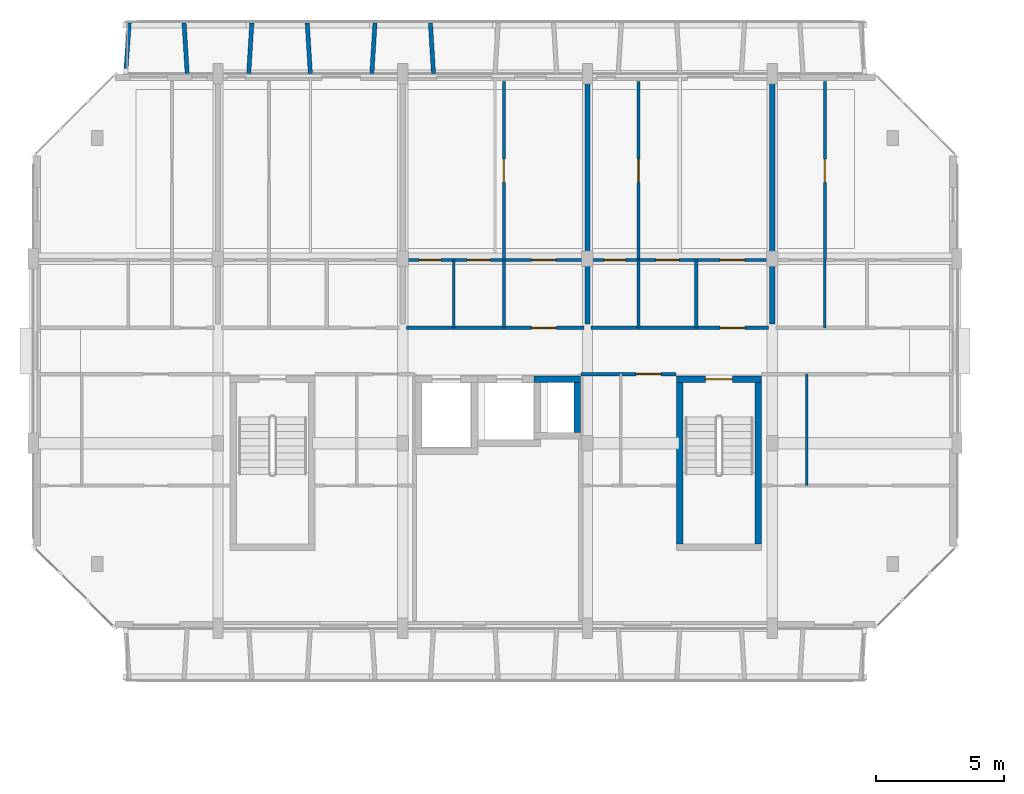
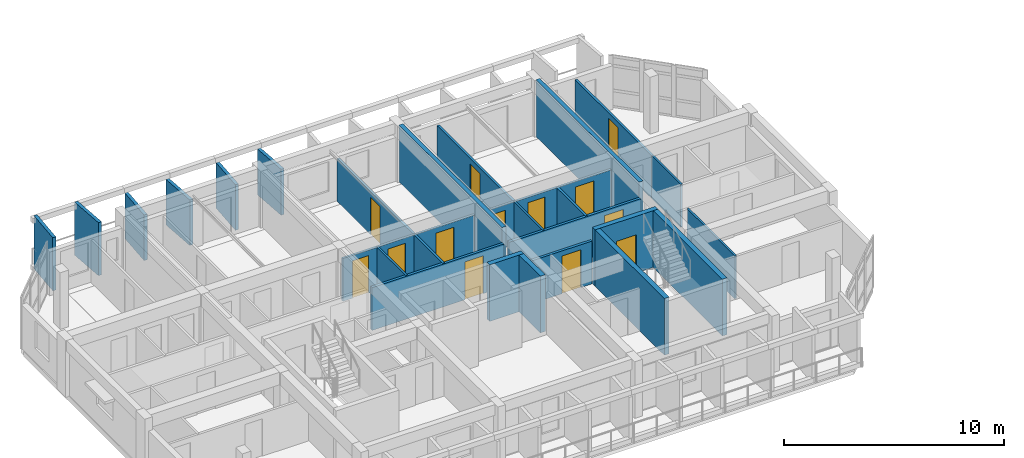
# One storey, part 22 of 46: 27 walls, 13 doors, 13 openings.
"""IFC4 building model written with IfcOpenShell, lengths in metres."""

from ifc_helpers import new_model, si_unit, direction, frame, frame_2d, origin, place, context, subcontext, project, spatial, rectangle, extrude, material, layer, layer_set, type_object, element, fill, save


model = new_model("IFC4")

# Units and contexts
model_context = context("Model", 3, precision=1e-05, world=origin(), true_north=direction((0.0, 1.0)))
body_context = subcontext(model_context, "Body", "Model", "MODEL_VIEW")
ifc_project = project(units=[si_unit("LENGTHUNIT", "METRE"), si_unit("AREAUNIT", "SQUARE_METRE"), si_unit("VOLUMEUNIT", "CUBIC_METRE"), si_unit("PLANEANGLEUNIT", "RADIAN"), si_unit("MASSUNIT", "GRAM", prefix="KILO")], contexts=[model_context])

# Site, building, storey
site_placement = place(None, origin())
site = spatial("IfcSite", under=ifc_project, at=site_placement, CompositionType="ELEMENT")
building_placement = place(site_placement, origin())
building = spatial("IfcBuilding", under=site, at=building_placement, Name="Ochrevale Crest", CompositionType="ELEMENT")
storey_placement = place(building_placement, frame((0.0, 0.0, 24.449951171875)))
storey = spatial("IfcBuildingStorey", under=building, at=storey_placement, Name="L07", CompositionType="ELEMENT", Elevation=24.449951171875)

# Wall, opening, door
ifc_material_1 = material(Name="Gypsum plasterboard", Category="gypsum")
ifc_layer_1 = layer(ifc_material_1, 0.139892578125)
ifc_layer_set_1 = layer_set([ifc_layer_1], Name="Gypsum plasterboard")
wall_type_1 = type_object("IfcWallType", Name="WL-COR-140", PredefinedType="PARTITIONING", material=ifc_layer_set_1)
wall_1_placement = place(storey_placement, frame((14.5400390625, 83.699951171875, 0.0), z_axis=(0.0, 0.0, 1.0), x_axis=(1.0, 0.0, 0.0)))
wall_1 = element("IfcWall", 1, at=wall_1_placement, inside=storey, type_object=wall_type_1, Name="Apartment B-L07-U3 corridor wall", PredefinedType="PARTITIONING", context=body_context, shape_type="SweptSolid", body=[
    extrude(rectangle(XDim=6.919921875, YDim=0.139892578125, at=frame_2d((3.4599609375, 0.0))), origin(), (0.0, 0.0, 1.0), 2.380126953125),
])
opening_1_placement = place(wall_1_placement, frame((5.85009765625, 0.0, 0.0), z_axis=(0.0, 0.0, 1.0), x_axis=(-1.0, 0.0, 0.0)))
opening_1 = element("IfcOpeningElement", 2, at=opening_1_placement, cuts=wall_1, Name="Opening FD01", PredefinedType="OPENING", context=body_context, shape_type="SweptSolid", body=[
    extrude(rectangle(XDim=0.97998046875, YDim=2.10009765625, at=frame_2d((0.489990234375, 1.050048828125))), frame((0.0, 0.080078125, 0.0), z_axis=(0.0, -1.0, 0.0), x_axis=(1.0, 0.0, 0.0)), (0.0, 0.0, 1.0), 0.159912109375),
])
ifc_material_2 = material(Name="Solid-core FSC hardwood", Category="wood")
door_type_1 = type_object("IfcDoorType", Name="DR-APT-950", OperationType="NOTDEFINED", PredefinedType="DOOR", material=ifc_material_2)
door_1_placement = place(opening_1_placement, origin())
door_1 = element("IfcDoor", 3, at=door_1_placement, inside=storey, type_object=door_type_1, Name="Apartment B-L07-U3 entrance door", OperationType="SINGLE_SWING_RIGHT", OverallHeight=2.10009765625, OverallWidth=0.97998046875, PredefinedType="DOOR", context=body_context, shape_type="SweptSolid", body=[
    extrude(rectangle(XDim=0.97998046875, YDim=2.10009765625, at=frame_2d((0.489990234375, 1.050048828125))), frame((0.0, 0.02490234375, 0.0), z_axis=(0.0, -1.0, 0.0), x_axis=(1.0, 0.0, 0.0)), (0.0, 0.0, 1.0), 0.050048828125),
])
fill(opening_1, door_1)

wall_2_placement = place(storey_placement, frame((21.739990234375, 83.699951171875, 0.0), z_axis=(0.0, 0.0, 1.0), x_axis=(1.0, 0.0, 0.0)))
wall_2 = element("IfcWall", 4, at=wall_2_placement, inside=storey, type_object=wall_type_1, Name="Apartment B-L07-U4 corridor wall", PredefinedType="PARTITIONING", context=body_context, shape_type="SweptSolid", body=[
    extrude(rectangle(XDim=6.919921875, YDim=0.139892578125, at=frame_2d((3.4599609375, 0.0))), origin(), (0.0, 0.0, 1.0), 2.380126953125),
])
opening_2_placement = place(wall_2_placement, frame((5.02001953125, 0.0, 0.0)))
opening_2 = element("IfcOpeningElement", 5, at=opening_2_placement, cuts=wall_2, Name="Opening FD01", PredefinedType="OPENING", context=body_context, shape_type="SweptSolid", body=[
    extrude(rectangle(XDim=0.97998046875, YDim=2.10009765625, at=frame_2d((0.489990234375, 1.050048828125))), frame((0.0, 0.080078125, 0.0), z_axis=(0.0, -1.0, 0.0), x_axis=(1.0, 0.0, 0.0)), (0.0, 0.0, 1.0), 0.159912109375),
])
door_2_placement = place(opening_2_placement, origin())
door_2 = element("IfcDoor", 6, at=door_2_placement, inside=storey, type_object=door_type_1, Name="Apartment B-L07-U4 entrance door", OperationType="SINGLE_SWING_LEFT", OverallHeight=2.10009765625, OverallWidth=0.97998046875, PredefinedType="DOOR", context=body_context, shape_type="SweptSolid", body=[
    extrude(rectangle(XDim=0.97998046875, YDim=2.10009765625, at=frame_2d((0.489990234375, 1.050048828125))), frame((0.0, 0.02490234375, 0.0), z_axis=(0.0, -1.0, 0.0), x_axis=(1.0, 0.0, 0.0)), (0.0, 0.0, 1.0), 0.050048828125),
])
fill(opening_2, door_2)

wall_3_placement = place(storey_placement, frame((21.340087890625, 81.89990234375, 0.0), z_axis=(0.0, 0.0, 1.0), x_axis=(1.0, 0.0, 0.0)))
wall_3 = element("IfcWall", 7, at=wall_3_placement, inside=storey, type_object=wall_type_1, Name="Suite B-L07-ME corridor wall", PredefinedType="PARTITIONING", context=body_context, shape_type="SweptSolid", body=[
    extrude(rectangle(XDim=3.719970703125, YDim=0.139892578125, at=frame_2d((1.85986328125, 0.0))), origin(), (0.0, 0.0, 1.0), 2.380126953125),
])
opening_3_placement = place(wall_3_placement, frame((2.151123046875, 0.0, 0.0)))
opening_3 = element("IfcOpeningElement", 8, at=opening_3_placement, cuts=wall_3, Name="Opening FD01", PredefinedType="OPENING", context=body_context, shape_type="SweptSolid", body=[
    extrude(rectangle(XDim=0.97998046875, YDim=2.10009765625, at=frame_2d((0.489990234375, 1.050048828125))), frame((0.0, 0.080078125, 0.0), z_axis=(0.0, -1.0, 0.0), x_axis=(1.0, 0.0, 0.0)), (0.0, 0.0, 1.0), 0.159912109375),
])
door_3_placement = place(opening_3_placement, origin())
door_3 = element("IfcDoor", 9, at=door_3_placement, inside=storey, type_object=door_type_1, Name="Suite B-L07-ME entrance door", OperationType="SINGLE_SWING_LEFT", OverallHeight=2.10009765625, OverallWidth=0.97998046875, PredefinedType="DOOR", context=body_context, shape_type="SweptSolid", body=[
    extrude(rectangle(XDim=0.97998046875, YDim=2.10009765625, at=frame_2d((0.489990234375, 1.050048828125))), frame((0.0, 0.02490234375, 0.0), z_axis=(0.0, -1.0, 0.0), x_axis=(1.0, 0.0, 0.0)), (0.0, 0.0, 1.0), 0.050048828125),
])
fill(opening_3, door_3)

ifc_material_3 = material(Name="Precast concrete C50/60", Category="concrete")
ifc_layer_2 = layer(ifc_material_3, 0.2548828125)
ifc_layer_set_2 = layer_set([ifc_layer_2], Name="Precast concrete C50/60")
wall_type_2 = type_object("IfcWallType", Name="WL-CORE-255", PredefinedType="SHEAR", material=ifc_layer_set_2)
wall_4_placement = place(storey_placement, frame((25.072509765625, 81.699951171875, 0.0), z_axis=(0.0, 0.0, 1.0), x_axis=(1.0, 0.0, 0.0)))
wall_4 = element("IfcWall", 10, at=wall_4_placement, inside=storey, type_object=wall_type_2, Name="Block B L07 Stair 2 precast core shear wall N", PredefinedType="SHEAR", context=body_context, shape_type="SweptSolid", body=[
    extrude(rectangle(XDim=3.304931640625, YDim=0.2548828125, at=frame_2d((1.65234375, 0.0))), origin(), (0.0, 0.0, 1.0), 3.150146484375),
])
opening_4_placement = place(wall_4_placement, frame((1.12744140625, 0.0, 0.0)))
opening_4 = element("IfcOpeningElement", 11, at=opening_4_placement, cuts=wall_4, Name="Opening FD03", PredefinedType="OPENING", context=body_context, shape_type="SweptSolid", body=[
    extrude(rectangle(XDim=1.050048828125, YDim=2.1201171875, at=frame_2d((0.52490234375, 1.06005859375))), frame((0.0, 0.137451171875, 0.0), z_axis=(0.0, -1.0, 0.0), x_axis=(1.0, 0.0, 0.0)), (0.0, 0.0, 1.0), 0.27490234375),
])
door_type_2 = type_object("IfcDoorType", Name="DR-ST-1050", OperationType="NOTDEFINED", PredefinedType="DOOR", material=ifc_material_2)
door_4_placement = place(opening_4_placement, origin())
door_4 = element("IfcDoor", 12, at=door_4_placement, inside=storey, type_object=door_type_2, Name="Block B L07 fire stair 2 door", OperationType="SINGLE_SWING_LEFT", OverallHeight=2.1201171875, OverallWidth=1.050048828125, PredefinedType="DOOR", context=body_context, shape_type="SweptSolid", body=[
    extrude(rectangle(XDim=1.050048828125, YDim=2.1201171875, at=frame_2d((0.52490234375, 1.06005859375))), frame((0.0, 0.02490234375, 0.0), z_axis=(0.0, -1.0, 0.0), x_axis=(1.0, 0.0, 0.0)), (0.0, 0.0, 1.0), 0.050048828125),
])
fill(opening_4, door_4)

# Walls
for number, where, z_axis, x_axis, name in (
    (13, (25.199951171875, 75.277587890625, 0.0), (0.0, 0.0, 1.0), (0.0, 1.0, 0.0), "Block B L07 Stair 2 precast core shear wall W"),
    (14, (28.25, 75.277587890625, 0.0), (0.0, 0.0, 1.0), (0.0, 1.0, 0.0), "Block B L07 Stair 2 precast core shear wall E"),
):
    element("IfcWall", number, at=place(storey_placement, frame(where, z_axis=z_axis, x_axis=x_axis)), inside=storey, type_object=wall_type_2, Name=name, PredefinedType="SHEAR", context=body_context, shape_type="SweptSolid", body=[
        extrude(rectangle(XDim=6.294921875, YDim=0.2548828125, at=frame_2d((3.1474609375, 0.0))), origin(), (0.0, 0.0, 1.0), 3.150146484375),
    ])
wall_5_placement = place(storey_placement, frame((19.5224609375, 81.699951171875, 0.0), z_axis=(0.0, 0.0, 1.0), x_axis=(1.0, 0.0, 0.0)))
element("IfcWall", 15, at=wall_5_placement, inside=storey, type_object=wall_type_2, Name="Block B L07 services riser shaft core wall N", PredefinedType="SHEAR", context=body_context, shape_type="SweptSolid", body=[
    extrude(rectangle(XDim=1.804931640625, YDim=0.2548828125, at=frame_2d((0.90234375, 0.0))), origin(), (0.0, 0.0, 1.0), 3.150146484375),
])
wall_6_placement = place(storey_placement, frame((21.199951171875, 79.62744140625, 0.0), z_axis=(0.0, 0.0, 1.0), x_axis=(0.0, 1.0, 0.0)))
element("IfcWall", 16, at=wall_6_placement, inside=storey, type_object=wall_type_2, Name="Block B L07 services riser shaft core wall E", PredefinedType="SHEAR", context=body_context, shape_type="SweptSolid", body=[
    extrude(rectangle(XDim=1.945068359375, YDim=0.2548828125, at=frame_2d((0.97265625, 0.0))), origin(), (0.0, 0.0, 1.0), 3.150146484375),
])
ifc_material_4 = material(Name="Precast concrete C40/50", Category="concrete")
ifc_layer_3 = layer(ifc_material_4, 0.1650390625)
ifc_layer_set_3 = layer_set([ifc_layer_3], Name="Precast concrete C40/50")
wall_type_3 = type_object("IfcWallType", Name="WL-HC-CHEEK-165", PredefinedType="ELEMENTEDWALL", material=ifc_layer_set_3)
wall_7_placement = place(storey_placement, frame((3.60009765625, 93.6201171875, 0.0), z_axis=(0.0, 0.0, 1.0), x_axis=(0.071194071069, 0.997462482625, 0.0)))
element("IfcWall", 17, at=wall_7_placement, inside=storey, type_object=wall_type_3, Name="Block B L07 N precast honeycomb cheek 1", PredefinedType="ELEMENTEDWALL", context=body_context, shape_type="SweptSolid", body=[
    extrude(rectangle(XDim=1.96484375, YDim=0.1650390625, at=frame_2d((0.982421875, 0.0))), origin(), (0.0, 0.0, 1.0), 2.949951171875),
])
wall_8_placement = place(storey_placement, frame((6.0, 93.6201171875, 0.0), z_axis=(0.0, 0.0, 1.0), x_axis=(-0.061170732449, 0.998127317276, 0.0)))
element("IfcWall", 18, at=wall_8_placement, inside=storey, type_object=wall_type_3, Name="Block B L07 N precast honeycomb cheek 2", PredefinedType="ELEMENTEDWALL", context=body_context, shape_type="SweptSolid", body=[
    extrude(rectangle(XDim=1.963623046875, YDim=0.1650390625, at=frame_2d((0.98193359375, 0.0))), origin(), (0.0, 0.0, 1.0), 2.949951171875),
])
for number, where, z_axis, x_axis, name in (
    (19, (8.39990234375, 93.6201171875, 0.0), (0.0, 0.0, 1.0), (0.061170732449, 0.998127317276, 0.0), "Block B L07 N precast honeycomb cheek 3"),
    (20, (10.800048828125, 93.6201171875, 0.0), (0.0, 0.0, 1.0), (-0.061170732449, 0.998127317276, 0.0), "Block B L07 N precast honeycomb cheek 4"),
    (21, (13.199951171875, 93.6201171875, 0.0), (0.0, 0.0, 1.0), (0.061170732449, 0.998127317276, 0.0), "Block B L07 N precast honeycomb cheek 5"),
):
    element("IfcWall", number, at=place(storey_placement, frame(where, z_axis=z_axis, x_axis=x_axis)), inside=storey, type_object=wall_type_3, Name=name, PredefinedType="ELEMENTEDWALL", context=body_context, shape_type="SweptSolid", body=[
        extrude(rectangle(XDim=1.963623046875, YDim=0.1650390625, at=frame_2d((0.98193359375, 0.0))), origin(), (0.0, 0.0, 1.0), 2.530029296875),
    ])
wall_9_placement = place(storey_placement, frame((15.60009765625, 93.6201171875, 0.0), z_axis=(0.0, 0.0, 1.0), x_axis=(-0.061170732449, 0.998127317276, 0.0)))
element("IfcWall", 22, at=wall_9_placement, inside=storey, type_object=wall_type_3, Name="Block B L07 N precast honeycomb cheek 6", PredefinedType="ELEMENTEDWALL", context=body_context, shape_type="SweptSolid", body=[
    extrude(rectangle(XDim=1.963623046875, YDim=0.1650390625, at=frame_2d((0.98193359375, 0.0))), origin(), (0.0, 0.0, 1.0), 2.550048828125),
])
ifc_layer_4 = layer(ifc_material_1, 0.1201171875)
ifc_layer_set_4 = layer_set([ifc_layer_4], Name="Gypsum plasterboard")
wall_type_4 = type_object("IfcWallType", Name="WL-PART-120", PredefinedType="PARTITIONING", material=ifc_layer_set_4)
wall_10_placement = place(storey_placement, frame((18.340087890625, 83.699951171875, 0.0), z_axis=(0.0, 0.0, 1.0), x_axis=(0.0, 1.0, 0.0)))
element("IfcWall", 23, at=wall_10_placement, inside=storey, type_object=wall_type_4, Name="Apartment B-L07-U3 kitchen-foyer wall", PredefinedType="PARTITIONING", context=body_context, shape_type="SweptSolid", body=[
    extrude(rectangle(XDim=2.650146484375, YDim=0.1201171875, at=frame_2d((1.3251953125, 0.0))), origin(), (0.0, 0.0, 1.0), 2.380126953125),
])

# Wall, openings, doors
wall_11_placement = place(storey_placement, frame((14.5400390625, 86.35009765625, 0.0), z_axis=(0.0, 0.0, 1.0), x_axis=(1.0, 0.0, 0.0)))
wall_11 = element("IfcWall", 24, at=wall_11_placement, inside=storey, type_object=wall_type_4, Name="Apartment B-L07-U3 central partition", PredefinedType="PARTITIONING", context=body_context, shape_type="SweptSolid", body=[
    extrude(rectangle(XDim=6.919921875, YDim=0.1201171875, at=frame_2d((3.4599609375, 0.0))), origin(), (0.0, 0.0, 1.0), 2.380126953125),
])
opening_5_placement = place(wall_11_placement, frame((0.5, 0.0, 0.0)))
opening_5 = element("IfcOpeningElement", 25, at=opening_5_placement, cuts=wall_11, Name="Opening ID01", PredefinedType="OPENING", context=body_context, shape_type="SweptSolid", body=[
    extrude(rectangle(XDim=0.85009765625, YDim=2.080078125, at=frame_2d((0.425048828125, 1.0400390625))), frame((0.0, 0.070068359375, 0.0), z_axis=(0.0, -1.0, 0.0), x_axis=(1.0, 0.0, 0.0)), (0.0, 0.0, 1.0), 0.14013671875),
])
opening_6_placement = place(wall_11_placement, frame((3.27490234375, 0.0, 0.0), z_axis=(0.0, 0.0, 1.0), x_axis=(-1.0, 0.0, 0.0)))
opening_6 = element("IfcOpeningElement", 26, at=opening_6_placement, cuts=wall_11, Name="Opening ID02", PredefinedType="OPENING", context=body_context, shape_type="SweptSolid", body=[
    extrude(rectangle(XDim=0.89990234375, YDim=2.080078125, at=frame_2d((0.449951171875, 1.0400390625))), frame((0.0, 0.070068359375, 0.0), z_axis=(0.0, -1.0, 0.0), x_axis=(1.0, 0.0, 0.0)), (0.0, 0.0, 1.0), 0.14013671875),
])
opening_7_placement = place(wall_11_placement, frame((4.885009765625, 0.0, 0.0)))
opening_7 = element("IfcOpeningElement", 27, at=opening_7_placement, cuts=wall_11, Name="Opening ID06", PredefinedType="OPENING", context=body_context, shape_type="SweptSolid", body=[
    extrude(rectangle(XDim=0.949951171875, YDim=2.080078125, at=frame_2d((0.47509765625, 1.0400390625))), frame((0.0, 0.070068359375, 0.0), z_axis=(0.0, -1.0, 0.0), x_axis=(1.0, 0.0, 0.0)), (0.0, 0.0, 1.0), 0.14013671875),
])
door_type_3 = type_object("IfcDoorType", Name="DR-INT-900", OperationType="NOTDEFINED", PredefinedType="DOOR", material=ifc_material_2)
door_5_placement = place(opening_6_placement, origin())
door_5 = element("IfcDoor", 28, at=door_5_placement, inside=storey, type_object=door_type_3, Name="Apartment B-L07-U3 Kitchen door", OperationType="SINGLE_SWING_RIGHT", OverallHeight=2.080078125, OverallWidth=0.89990234375, PredefinedType="DOOR", context=body_context, shape_type="SweptSolid", body=[
    extrude(rectangle(XDim=0.89990234375, YDim=2.080078125, at=frame_2d((0.449951171875, 1.0400390625))), frame((0.0, 0.02490234375, 0.0), z_axis=(0.0, -1.0, 0.0), x_axis=(1.0, 0.0, 0.0)), (0.0, 0.0, 1.0), 0.050048828125),
])
fill(opening_6, door_5)
door_type_4 = type_object("IfcDoorType", Name="DR-INT-950", OperationType="NOTDEFINED", PredefinedType="DOOR", material=ifc_material_2)
door_6_placement = place(opening_7_placement, origin())
door_6 = element("IfcDoor", 29, at=door_6_placement, inside=storey, type_object=door_type_4, Name="Apartment B-L07-U3 Living Foyer door", OperationType="SINGLE_SWING_LEFT", OverallHeight=2.080078125, OverallWidth=0.949951171875, PredefinedType="DOOR", context=body_context, shape_type="SweptSolid", body=[
    extrude(rectangle(XDim=0.949951171875, YDim=2.080078125, at=frame_2d((0.47509765625, 1.0400390625))), frame((0.0, 0.02490234375, 0.0), z_axis=(0.0, -1.0, 0.0), x_axis=(1.0, 0.0, 0.0)), (0.0, 0.0, 1.0), 0.050048828125),
])
fill(opening_7, door_6)
door_type_5 = type_object("IfcDoorType", Name="DR-WC-850", OperationType="NOTDEFINED", PredefinedType="DOOR", material=ifc_material_2)
door_7_placement = place(opening_5_placement, origin())
door_7 = element("IfcDoor", 30, at=door_7_placement, inside=storey, type_object=door_type_5, Name="Apartment B-L07-U3 Bathroom door", OperationType="SINGLE_SWING_LEFT", OverallHeight=2.080078125, OverallWidth=0.85009765625, PredefinedType="DOOR", context=body_context, shape_type="SweptSolid", body=[
    extrude(rectangle(XDim=0.85009765625, YDim=2.080078125, at=frame_2d((0.425048828125, 1.0400390625))), frame((0.0, 0.02490234375, 0.0), z_axis=(0.0, -1.0, 0.0), x_axis=(1.0, 0.0, 0.0)), (0.0, 0.0, 1.0), 0.050048828125),
])
fill(opening_5, door_7)

# Wall, opening, door
wall_12_placement = place(storey_placement, frame((18.340087890625, 86.35009765625, 0.0), z_axis=(0.0, 0.0, 1.0), x_axis=(0.0, 1.0, 0.0)))
wall_12 = element("IfcWall", 31, at=wall_12_placement, inside=storey, type_object=wall_type_4, Name="Apartment B-L07-U3 bedroom partition", PredefinedType="PARTITIONING", context=body_context, shape_type="SweptSolid", body=[
    extrude(rectangle(XDim=6.949951171875, YDim=0.1201171875, at=frame_2d((3.47509765625, 0.0))), origin(), (0.0, 0.0, 1.0), 2.380126953125),
])
opening_8_placement = place(wall_12_placement, frame((3.9248046875, 0.0, 0.0), z_axis=(0.0, 0.0, 1.0), x_axis=(-1.0, 0.0, 0.0)))
opening_8 = element("IfcOpeningElement", 32, at=opening_8_placement, cuts=wall_12, Name="Opening ID02", PredefinedType="OPENING", context=body_context, shape_type="SweptSolid", body=[
    extrude(rectangle(XDim=0.89990234375, YDim=2.080078125, at=frame_2d((0.449951171875, 1.0400390625))), frame((0.0, 0.070068359375, 0.0), z_axis=(0.0, -1.0, 0.0), x_axis=(1.0, 0.0, 0.0)), (0.0, 0.0, 1.0), 0.14013671875),
])
door_8_placement = place(opening_8_placement, origin())
door_8 = element("IfcDoor", 33, at=door_8_placement, inside=storey, type_object=door_type_3, Name="Apartment B-L07-U3 Double Bedroom door", OperationType="SINGLE_SWING_RIGHT", OverallHeight=2.080078125, OverallWidth=0.89990234375, PredefinedType="DOOR", context=body_context, shape_type="SweptSolid", body=[
    extrude(rectangle(XDim=0.89990234375, YDim=2.080078125, at=frame_2d((0.449951171875, 1.0400390625))), frame((0.0, 0.02490234375, 0.0), z_axis=(0.0, -1.0, 0.0), x_axis=(1.0, 0.0, 0.0)), (0.0, 0.0, 1.0), 0.050048828125),
])
fill(opening_8, door_8)

# Wall
wall_13_placement = place(storey_placement, frame((25.840087890625, 83.699951171875, 0.0), z_axis=(0.0, 0.0, 1.0), x_axis=(0.0, 1.0, 0.0)))
element("IfcWall", 34, at=wall_13_placement, inside=storey, type_object=wall_type_4, Name="Apartment B-L07-U4 kitchen-foyer wall", PredefinedType="PARTITIONING", context=body_context, shape_type="SweptSolid", body=[
    extrude(rectangle(XDim=2.650146484375, YDim=0.1201171875, at=frame_2d((1.3251953125, 0.0))), origin(), (0.0, 0.0, 1.0), 2.380126953125),
])

# Wall, openings, doors
wall_14_placement = place(storey_placement, frame((21.739990234375, 86.35009765625, 0.0), z_axis=(0.0, 0.0, 1.0), x_axis=(1.0, 0.0, 0.0)))
wall_14 = element("IfcWall", 35, at=wall_14_placement, inside=storey, type_object=wall_type_4, Name="Apartment B-L07-U4 central partition", PredefinedType="PARTITIONING", context=body_context, shape_type="SweptSolid", body=[
    extrude(rectangle(XDim=6.919921875, YDim=0.1201171875, at=frame_2d((3.4599609375, 0.0))), origin(), (0.0, 0.0, 1.0), 2.380126953125),
])
opening_9_placement = place(wall_14_placement, frame((1.35009765625, 0.0, 0.0), z_axis=(0.0, 0.0, 1.0), x_axis=(-1.0, 0.0, 0.0)))
opening_9 = element("IfcOpeningElement", 36, at=opening_9_placement, cuts=wall_14, Name="Opening ID01", PredefinedType="OPENING", context=body_context, shape_type="SweptSolid", body=[
    extrude(rectangle(XDim=0.85009765625, YDim=2.080078125, at=frame_2d((0.425048828125, 1.0400390625))), frame((0.0, 0.070068359375, 0.0), z_axis=(0.0, -1.0, 0.0), x_axis=(1.0, 0.0, 0.0)), (0.0, 0.0, 1.0), 0.14013671875),
])
opening_10_placement = place(wall_14_placement, frame((2.52490234375, 0.0, 0.0)))
opening_10 = element("IfcOpeningElement", 37, at=opening_10_placement, cuts=wall_14, Name="Opening ID02", PredefinedType="OPENING", context=body_context, shape_type="SweptSolid", body=[
    extrude(rectangle(XDim=0.89990234375, YDim=2.080078125, at=frame_2d((0.449951171875, 1.0400390625))), frame((0.0, 0.070068359375, 0.0), z_axis=(0.0, -1.0, 0.0), x_axis=(1.0, 0.0, 0.0)), (0.0, 0.0, 1.0), 0.14013671875),
])
opening_11_placement = place(wall_14_placement, frame((5.98486328125, 0.0, 0.0), z_axis=(0.0, 0.0, 1.0), x_axis=(-1.0, 0.0, 0.0)))
opening_11 = element("IfcOpeningElement", 38, at=opening_11_placement, cuts=wall_14, Name="Opening ID06", PredefinedType="OPENING", context=body_context, shape_type="SweptSolid", body=[
    extrude(rectangle(XDim=0.949951171875, YDim=2.080078125, at=frame_2d((0.47509765625, 1.0400390625))), frame((0.0, 0.070068359375, 0.0), z_axis=(0.0, -1.0, 0.0), x_axis=(1.0, 0.0, 0.0)), (0.0, 0.0, 1.0), 0.14013671875),
])
door_9_placement = place(opening_10_placement, origin())
door_9 = element("IfcDoor", 39, at=door_9_placement, inside=storey, type_object=door_type_3, Name="Apartment B-L07-U4 Kitchen door", OperationType="SINGLE_SWING_LEFT", OverallHeight=2.080078125, OverallWidth=0.89990234375, PredefinedType="DOOR", context=body_context, shape_type="SweptSolid", body=[
    extrude(rectangle(XDim=0.89990234375, YDim=2.080078125, at=frame_2d((0.449951171875, 1.0400390625))), frame((0.0, 0.02490234375, 0.0), z_axis=(0.0, -1.0, 0.0), x_axis=(1.0, 0.0, 0.0)), (0.0, 0.0, 1.0), 0.050048828125),
])
fill(opening_10, door_9)
door_10_placement = place(opening_11_placement, origin())
door_10 = element("IfcDoor", 40, at=door_10_placement, inside=storey, type_object=door_type_4, Name="Apartment B-L07-U4 Living Foyer door", OperationType="SINGLE_SWING_RIGHT", OverallHeight=2.080078125, OverallWidth=0.949951171875, PredefinedType="DOOR", context=body_context, shape_type="SweptSolid", body=[
    extrude(rectangle(XDim=0.949951171875, YDim=2.080078125, at=frame_2d((0.47509765625, 1.0400390625))), frame((0.0, 0.02490234375, 0.0), z_axis=(0.0, -1.0, 0.0), x_axis=(1.0, 0.0, 0.0)), (0.0, 0.0, 1.0), 0.050048828125),
])
fill(opening_11, door_10)
door_11_placement = place(opening_9_placement, origin())
door_11 = element("IfcDoor", 41, at=door_11_placement, inside=storey, type_object=door_type_5, Name="Apartment B-L07-U4 Bathroom door", OperationType="SINGLE_SWING_RIGHT", OverallHeight=2.080078125, OverallWidth=0.85009765625, PredefinedType="DOOR", context=body_context, shape_type="SweptSolid", body=[
    extrude(rectangle(XDim=0.85009765625, YDim=2.080078125, at=frame_2d((0.425048828125, 1.0400390625))), frame((0.0, 0.02490234375, 0.0), z_axis=(0.0, -1.0, 0.0), x_axis=(1.0, 0.0, 0.0)), (0.0, 0.0, 1.0), 0.050048828125),
])
fill(opening_9, door_11)

# Wall, opening, door
wall_15_placement = place(storey_placement, frame((23.590087890625, 86.35009765625, 0.0), z_axis=(0.0, 0.0, 1.0), x_axis=(0.0, 1.0, 0.0)))
wall_15 = element("IfcWall", 42, at=wall_15_placement, inside=storey, type_object=wall_type_4, Name="Apartment B-L07-U4 bedroom partition", PredefinedType="PARTITIONING", context=body_context, shape_type="SweptSolid", body=[
    extrude(rectangle(XDim=6.949951171875, YDim=0.1201171875, at=frame_2d((3.47509765625, 0.0))), origin(), (0.0, 0.0, 1.0), 2.380126953125),
])
opening_12_placement = place(wall_15_placement, frame((3.02490234375, 0.0, 0.0)))
opening_12 = element("IfcOpeningElement", 43, at=opening_12_placement, cuts=wall_15, Name="Opening ID02", PredefinedType="OPENING", context=body_context, shape_type="SweptSolid", body=[
    extrude(rectangle(XDim=0.89990234375, YDim=2.080078125, at=frame_2d((0.449951171875, 1.0400390625))), frame((0.0, 0.070068359375, 0.0), z_axis=(0.0, -1.0, 0.0), x_axis=(1.0, 0.0, 0.0)), (0.0, 0.0, 1.0), 0.14013671875),
])
door_12_placement = place(opening_12_placement, origin())
door_12 = element("IfcDoor", 44, at=door_12_placement, inside=storey, type_object=door_type_3, Name="Apartment B-L07-U4 Master Bedroom door", OperationType="SINGLE_SWING_LEFT", OverallHeight=2.080078125, OverallWidth=0.89990234375, PredefinedType="DOOR", context=body_context, shape_type="SweptSolid", body=[
    extrude(rectangle(XDim=0.89990234375, YDim=2.080078125, at=frame_2d((0.449951171875, 1.0400390625))), frame((0.0, 0.02490234375, 0.0), z_axis=(0.0, -1.0, 0.0), x_axis=(1.0, 0.0, 0.0)), (0.0, 0.0, 1.0), 0.050048828125),
])
fill(opening_12, door_12)

wall_16_placement = place(storey_placement, frame((30.85009765625, 86.35009765625, 0.0), z_axis=(0.0, 0.0, 1.0), x_axis=(0.0, 1.0, 0.0)))
wall_16 = element("IfcWall", 45, at=wall_16_placement, inside=storey, type_object=wall_type_4, Name="Apartment B-L07-U5 bedroom partition", PredefinedType="PARTITIONING", context=body_context, shape_type="SweptSolid", body=[
    extrude(rectangle(XDim=6.949951171875, YDim=0.1201171875, at=frame_2d((3.47509765625, 0.0))), origin(), (0.0, 0.0, 1.0), 2.380126953125),
])
opening_13_placement = place(wall_16_placement, frame((3.02490234375, 0.0, 0.0)))
opening_13 = element("IfcOpeningElement", 46, at=opening_13_placement, cuts=wall_16, Name="Opening ID02", PredefinedType="OPENING", context=body_context, shape_type="SweptSolid", body=[
    extrude(rectangle(XDim=0.89990234375, YDim=2.080078125, at=frame_2d((0.449951171875, 1.0400390625))), frame((0.0, 0.070068359375, 0.0), z_axis=(0.0, -1.0, 0.0), x_axis=(1.0, 0.0, 0.0)), (0.0, 0.0, 1.0), 0.14013671875),
])
door_13_placement = place(opening_13_placement, origin())
door_13 = element("IfcDoor", 47, at=door_13_placement, inside=storey, type_object=door_type_3, Name="Apartment B-L07-U5 Master Bedroom door", OperationType="SINGLE_SWING_RIGHT", OverallHeight=2.080078125, OverallWidth=0.89990234375, PredefinedType="DOOR", context=body_context, shape_type="SweptSolid", body=[
    extrude(rectangle(XDim=0.89990234375, YDim=2.080078125, at=frame_2d((0.449951171875, 1.0400390625))), frame((0.0, 0.02490234375, 0.0), z_axis=(0.0, -1.0, 0.0), x_axis=(1.0, 0.0, 0.0)), (0.0, 0.0, 1.0), 0.050048828125),
])
fill(opening_13, door_13)

# Walls
ifc_layer_5 = layer(ifc_material_4, 0.2099609375)
ifc_layer_set_5 = layer_set([ifc_layer_5], Name="Precast concrete C40/50")
wall_type_5 = type_object("IfcWallType", Name="WL-SHEAR-210", PredefinedType="SHEAR", material=ifc_layer_set_5)
for number, where, z_axis, x_axis, name in (
    (48, (21.60009765625, 83.85009765625, 0.0), (0.0, 0.0, 1.0), (0.0, 1.0, 0.0), "Block B L07 load-bearing precast cross-wall X=21.6"),
    (49, (28.800048828125, 83.85009765625, 0.0), (0.0, 0.0, 1.0), (0.0, 1.0, 0.0), "Block B L07 load-bearing precast cross-wall X=28.8"),
):
    element("IfcWall", number, at=place(storey_placement, frame(where, z_axis=z_axis, x_axis=x_axis)), inside=storey, type_object=wall_type_5, Name=name, PredefinedType="SHEAR", context=body_context, shape_type="SweptSolid", body=[
        extrude(rectangle(XDim=9.39990234375, YDim=0.2099609375, at=frame_2d((4.699951171875, 0.0))), origin(), (0.0, 0.0, 1.0), 3.150146484375),
    ])
ifc_layer_6 = layer(ifc_material_1, 0.10009765625)
ifc_layer_set_6 = layer_set([ifc_layer_6], Name="Gypsum plasterboard")
wall_type_6 = type_object("IfcWallType", Name="WL-WET-100", PredefinedType="PARTITIONING", material=ifc_layer_set_6)
for number, where, z_axis, x_axis, name in (
    (50, (16.389892578125, 83.699951171875, 0.0), (0.0, 0.0, 1.0), (0.0, 1.0, 0.0), "Apartment B-L07-U3 bath-kitchen wall"),
    (51, (23.590087890625, 83.699951171875, 0.0), (0.0, 0.0, 1.0), (0.0, 1.0, 0.0), "Apartment B-L07-U4 bath-kitchen wall"),
    (52, (30.85009765625, 83.699951171875, 0.0), (0.0, 0.0, 1.0), (0.0, 1.0, 0.0), "Apartment B-L07-U5 bath-kitchen wall"),
):
    element("IfcWall", number, at=place(storey_placement, frame(where, z_axis=z_axis, x_axis=x_axis)), inside=storey, type_object=wall_type_6, Name=name, PredefinedType="PARTITIONING", context=body_context, shape_type="SweptSolid", body=[
        extrude(rectangle(XDim=2.650146484375, YDim=0.10009765625, at=frame_2d((1.3251953125, 0.0))), origin(), (0.0, 0.0, 1.0), 2.380126953125),
    ])
wall_17_placement = place(storey_placement, frame((30.139892578125, 77.550048828125, 0.0), z_axis=(0.0, 0.0, 1.0), x_axis=(0.0, 1.0, 0.0)))
element("IfcWall", 53, at=wall_17_placement, inside=storey, type_object=wall_type_6, Name="Suite B-L07-CE bathroom divider", PredefinedType="PARTITIONING", context=body_context, shape_type="SweptSolid", body=[
    extrude(rectangle(XDim=4.349853515625, YDim=0.10009765625, at=frame_2d((2.1748046875, 0.0))), origin(), (0.0, 0.0, 1.0), 2.380126953125),
])

save(model, "model.ifc")
